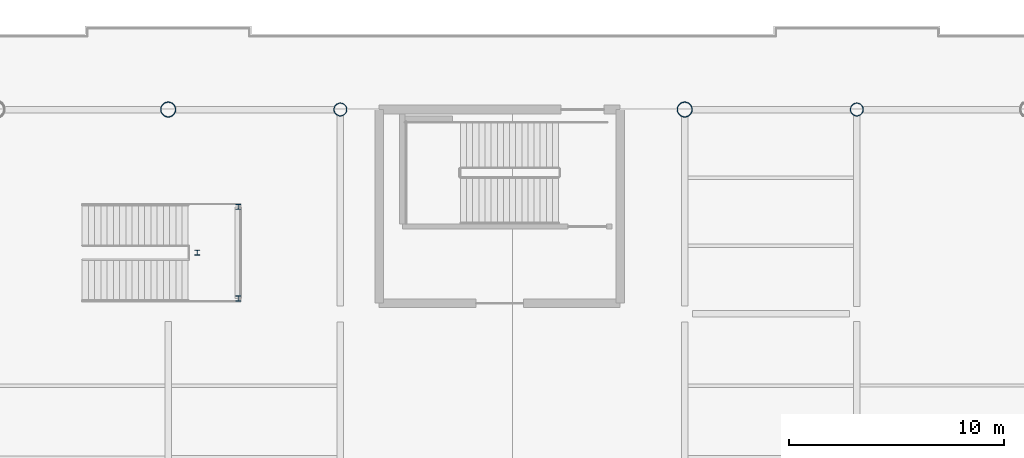
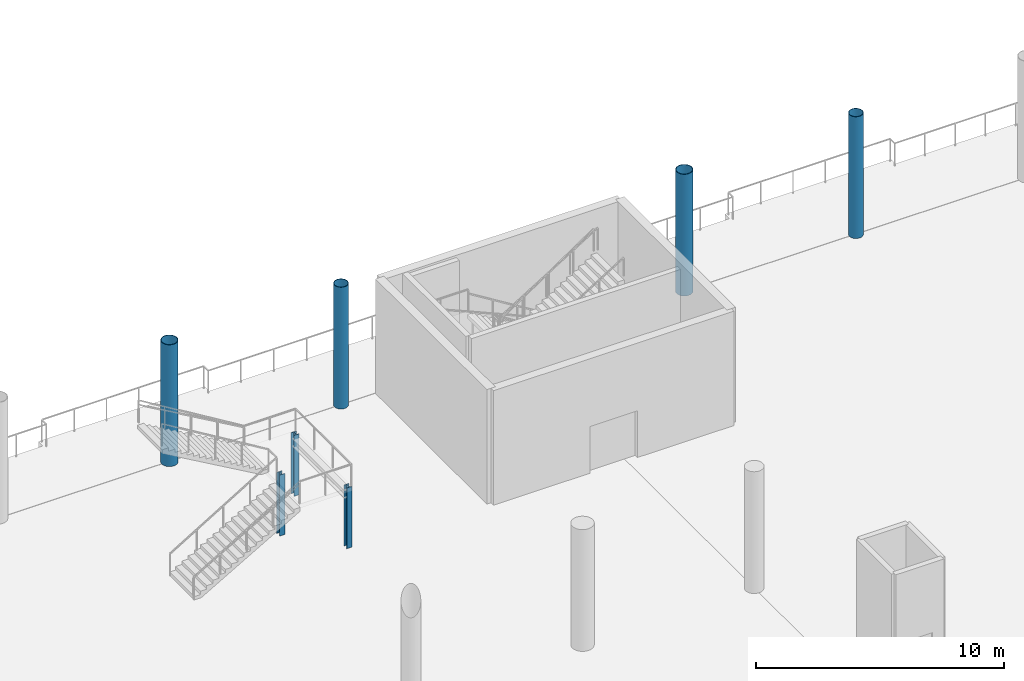
# One storey, part 25 of 163: 7 columns.
"""IFC4 building model written with IfcOpenShell, lengths in metres."""

from ifc_helpers import new_model, si_unit, direction, frame, origin, origin_2d, place, context, subcontext, project, spatial, hollow_circle, i_section, extrude, material, material_profile, profile_set, type_object, element, save


model = new_model("IFC4")

# Units and contexts
model_context = context("Model", 3, precision=1e-05, world=origin(), true_north=direction((0.0, 1.0)))
body_context = subcontext(model_context, "Body", "Model", "MODEL_VIEW")
ifc_project = project(units=[si_unit("LENGTHUNIT", "METRE"), si_unit("AREAUNIT", "SQUARE_METRE"), si_unit("VOLUMEUNIT", "CUBIC_METRE"), si_unit("PLANEANGLEUNIT", "RADIAN"), si_unit("MASSUNIT", "GRAM", prefix="KILO")], contexts=[model_context])

# Site, building, storey
site_placement = place(None, origin())
site = spatial("IfcSite", under=ifc_project, at=site_placement, CompositionType="ELEMENT")
building_placement = place(site_placement, origin())
building = spatial("IfcBuilding", under=site, at=building_placement, Name="Khorjan Park Terminus", CompositionType="ELEMENT")
storey_placement = place(building_placement, origin())
storey = spatial("IfcBuildingStorey", under=building, at=storey_placement, Name="L00", CompositionType="ELEMENT", Elevation=0.0)

# Columns
ifc_material = material(Name="Steel S355", Category="steel")
ifc_material_profile_1 = material_profile(ifc_material, i_section(OverallWidth=0.24, OverallDepth=0.24, WebThickness=0.01, FlangeThickness=0.017, FilletRadius=0.021, at=origin_2d()), Name="HEB 240")
ifc_profile_set_1 = profile_set([ifc_material_profile_1], Name="Steel S355")
column_type_1 = type_object("IfcColumnType", Name="COL-HB240", PredefinedType="COLUMN", material=ifc_profile_set_1)
for number, where, z_axis, x_axis, name in (
    (1, (67.25, 145.22, 0.0), (0.0, 0.0, 1.0), (1.0, 0.0, 0.0), "Structural column SC-H24 (L00 #1015)"),
    (2, (67.25, 149.48, 0.0), (0.0, 0.0, 1.0), (1.0, 0.0, 0.0), "Structural column SC-H24 (L00 #1017)"),
    (3, (65.35, 147.35, 0.0), (0.0, 0.0, 1.0), (1.0, 0.0, 0.0), "Structural column SC-H24 (L00 #1019)"),
):
    element("IfcColumn", number, at=place(storey_placement, frame(where, z_axis=z_axis, x_axis=x_axis)), inside=storey, type_object=column_type_1, Name=name, PredefinedType="COLUMN", context=body_context, shape_type="SweptSolid", body=[
        extrude(i_section(OverallWidth=0.24, OverallDepth=0.24, WebThickness=0.01, FlangeThickness=0.017, FilletRadius=0.021, at=origin_2d()), origin(), (0.0, 0.0, 1.0), 3.0),
    ])
ifc_material_profile_2 = material_profile(ifc_material, hollow_circle(Radius=0.305, WallThickness=0.02, at=origin_2d()), Name="CHS 610x20")
ifc_profile_set_2 = profile_set([ifc_material_profile_2], Name="Steel S355")
column_type_2 = type_object("IfcColumnType", Name="COL-SH610E", PredefinedType="COLUMN", material=ifc_profile_set_2)
for number, where, z_axis, x_axis, name in (
    (4, (72.0, 154.0, 0.0), (0.0, 0.0, 1.0), (1.0, 0.0, 0.0), "Structural column SC-61 (L00 #106)"),
    (5, (96.0, 154.0, 0.0), (0.0, 0.0, 1.0), (1.0, 0.0, 0.0), "Structural column SC-61 (L00 #141)"),
):
    element("IfcColumn", number, at=place(storey_placement, frame(where, z_axis=z_axis, x_axis=x_axis)), inside=storey, type_object=column_type_2, Name=name, PredefinedType="COLUMN", context=body_context, shape_type="SweptSolid", body=[
        extrude(hollow_circle(Radius=0.305, WallThickness=0.02, at=origin_2d()), origin(), (0.0, 0.0, 1.0), 6.0),
    ])
ifc_material_profile_3 = material_profile(ifc_material, hollow_circle(Radius=0.3555, WallThickness=0.025, at=origin_2d()), Name="CHS 711x25")
ifc_profile_set_3 = profile_set([ifc_material_profile_3], Name="Steel S355")
column_type_3 = type_object("IfcColumnType", Name="COL-SH711E", PredefinedType="COLUMN", material=ifc_profile_set_3)
for number, where, z_axis, x_axis, name in (
    (6, (64.0, 154.0, 0.0), (0.0, 0.0, 1.0), (1.0, 0.0, 0.0), "Structural column SC-71 (L00 #92)"),
    (7, (88.0, 154.0, 0.0), (0.0, 0.0, 1.0), (1.0, 0.0, 0.0), "Structural column SC-71 (L00 #129)"),
):
    element("IfcColumn", number, at=place(storey_placement, frame(where, z_axis=z_axis, x_axis=x_axis)), inside=storey, type_object=column_type_3, Name=name, PredefinedType="COLUMN", context=body_context, shape_type="SweptSolid", body=[
        extrude(hollow_circle(Radius=0.3555, WallThickness=0.025, at=origin_2d()), origin(), (0.0, 0.0, 1.0), 6.0),
    ])

save(model, "model.ifc")
